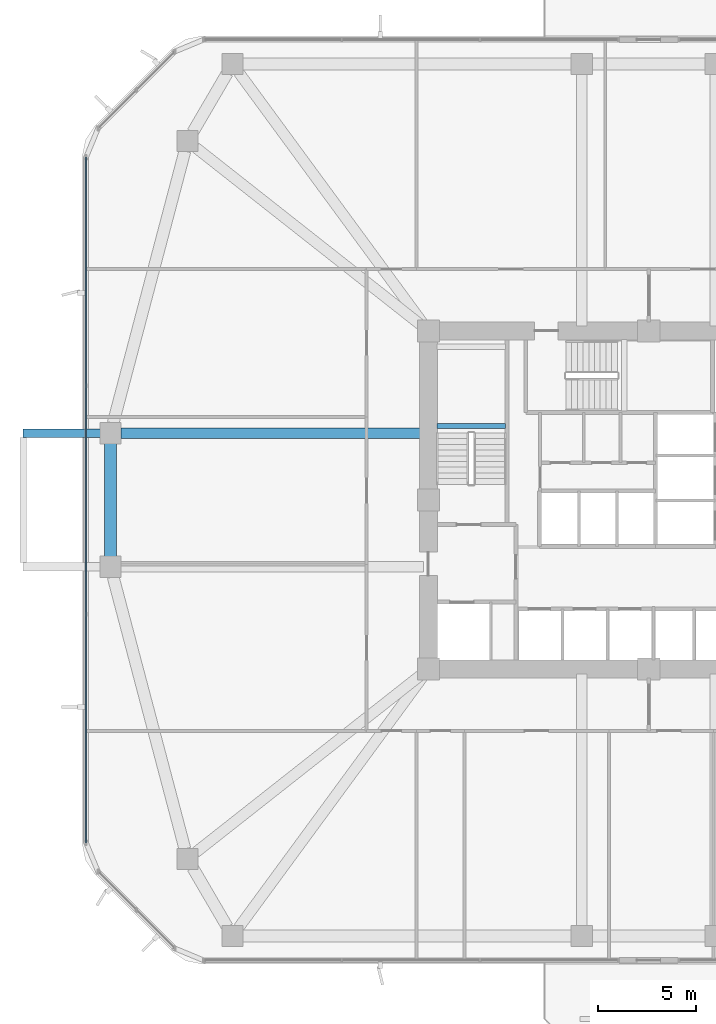
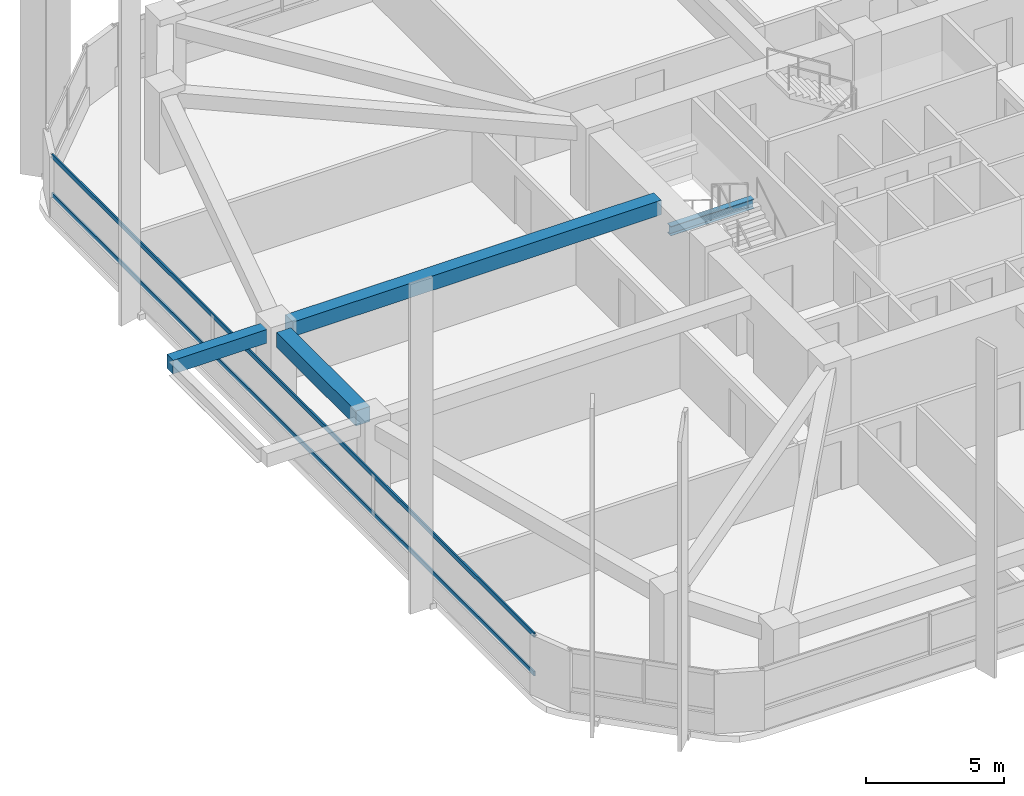
# One storey, part 3 of 17: 4 beams, 2 members, 1 element without a shape of its own.
"""IFC4 building model written with IfcOpenShell, lengths in metres."""

from ifc_helpers import new_model, si_unit, derived_unit, direction, frame, origin, origin_2d, place, context, subcontext, project, spatial, rectangle, i_section, extrude, material, material_profile, profile_set, type_object, element, aggregate, save


model = new_model("IFC4")

# Units and contexts
model_context = context("Model", 3, precision=1e-05, world=origin(), true_north=direction((0.0, 1.0)))
body_context = subcontext(model_context, "Body", "Model", "MODEL_VIEW")
ifc_project = project(units=[si_unit("LENGTHUNIT", "METRE"), si_unit("AREAUNIT", "SQUARE_METRE"), si_unit("VOLUMEUNIT", "CUBIC_METRE"), si_unit("PLANEANGLEUNIT", "RADIAN"), si_unit("MASSUNIT", "GRAM", prefix="KILO"), derived_unit("THERMALTRANSMITTANCEUNIT", [(si_unit("POWERUNIT", "WATT"), 1), (si_unit("LENGTHUNIT", "METRE"), -2), (si_unit("THERMODYNAMICTEMPERATUREUNIT", "KELVIN"), -1)])], contexts=[model_context])

# Site, building, storey
site_placement = place(None, origin())
site = spatial("IfcSite", under=ifc_project, at=site_placement, CompositionType="ELEMENT")
building_placement = place(site_placement, origin())
building = spatial("IfcBuilding", under=site, at=building_placement, Name="Koralith Skygarden Medical Center", CompositionType="ELEMENT")
storey_placement = place(building_placement, frame((0.0, 0.0, 23.93994140625)))
storey = spatial("IfcBuildingStorey", under=building, at=storey_placement, Name="L05", CompositionType="ELEMENT", Elevation=23.93994140625)

# Curtain wall, members
ifc_material_1 = material(Name="Clear Laminated Glass", Category="glass")
curtain_wall_type = type_object("IfcCurtainWallType", Name="CW-2 Zone 1 Hurricane Unitised Curtain Wall", PredefinedType="NOTDEFINED", material=ifc_material_1)
curtain_wall_placement = place(storey_placement, origin())
curtain_wall = element("IfcCurtainWall", 1, at=curtain_wall_placement, inside=storey, type_object=curtain_wall_type, Name="Curtain Wall CW-L05-W", PredefinedType="NOTDEFINED")
ifc_material_2 = material(Name="Aluminium 6063-T6", Category="aluminium")
ifc_material_profile_1 = material_profile(ifc_material_2, rectangle(XDim=0.06591796875, YDim=0.197998046875, at=origin_2d()), Name="TRN66X198")
ifc_profile_set_1 = profile_set([ifc_material_profile_1], Name="Aluminium 6063-T6")
member_type = type_object("IfcMemberType", Name="CW-2 Thermal Transom 66x198", PredefinedType="USERDEFINED", material=ifc_profile_set_1)
member_1_placement = place(storey_placement, frame((8.3798828125, 43.344970703125, 0.900146484375), z_axis=(0.0, -1.0, 0.0), x_axis=(1.0, 0.0, 0.0)))
member_1 = element("IfcMember", 2, at=member_1_placement, type_object=member_type, Name="CW-L05-W Transom 1", ObjectType="TRANSOM", PredefinedType="USERDEFINED", context=body_context, shape_type="SweptSolid", body=[
    extrude(rectangle(XDim=0.06591796875, YDim=0.197998046875, at=origin_2d()), origin(), (0.0, 0.0, 1.0), 34.889892578125),
])
member_2_placement = place(storey_placement, frame((8.3798828125, 43.344970703125, 2.60009765625), z_axis=(0.0, -1.0, 0.0), x_axis=(1.0, 0.0, 0.0)))
member_2 = element("IfcMember", 3, at=member_2_placement, type_object=member_type, Name="CW-L05-W Transom 2", ObjectType="TRANSOM", PredefinedType="USERDEFINED", context=body_context, shape_type="SweptSolid", body=[
    extrude(rectangle(XDim=0.06591796875, YDim=0.197998046875, at=origin_2d()), origin(), (0.0, 0.0, 1.0), 34.889892578125),
])
aggregate(curtain_wall, [member_1, member_2])

# Beams
ifc_material_3 = material(Name="Steel ASTM A992 Grade 50", Category="steel")
ifc_material_profile_2 = material_profile(ifc_material_3, i_section(OverallWidth=0.260009765625, OverallDepth=0.4150390625, WebThickness=0.010009765625, FlangeThickness=0.016845703125, at=origin_2d()), Name="W16X67")
ifc_profile_set_2 = profile_set([ifc_material_profile_2], Name="Steel ASTM A992 Grade 50")
beam_type_1 = type_object("IfcBeamType", Name="Clinical Floor Joist W16X67", PredefinedType="JOIST", material=ifc_profile_set_2)
beam_1_placement = place(storey_placement, frame((26.22998046875, 29.659912109375, 1.39208984375), z_axis=(1.0, 0.0, 0.0), x_axis=(0.0, 1.0, 0.0)))
element("IfcBeam", 4, at=beam_1_placement, inside=storey, type_object=beam_type_1, Name="L05 Stair ST1 Half-Landing Support Beam 1A", PredefinedType="JOIST", context=body_context, shape_type="SweptSolid", body=[
    extrude(i_section(OverallWidth=0.260009765625, OverallDepth=0.4150390625, WebThickness=0.010009765625, FlangeThickness=0.016845703125, at=origin_2d()), origin(), (0.0, 0.0, 1.0), 3.489990234375),
])
ifc_material_4 = material(Name="Concrete C45/55", Category="concrete")
ifc_material_profile_3 = material_profile(ifc_material_4, rectangle(XDim=0.449951171875, YDim=0.60009765625, at=origin_2d()), Name="RCB450X600")
ifc_profile_set_3 = profile_set([ifc_material_profile_3], Name="Concrete C45/55")
beam_type_2 = type_object("IfcBeamType", Name="Planted Balcony Cantilever Beam RCB450X600", PredefinedType="BEAM", material=ifc_profile_set_3)
beam_2_placement = place(storey_placement, frame((9.10009765625, 29.300048828125, 3.0400390625), z_axis=(-1.0, 0.0, 0.0), x_axis=(0.0, -1.0, 0.0)))
element("IfcBeam", 5, at=beam_2_placement, inside=storey, type_object=beam_type_2, Name="L06 W Balcony Cantilever Beam B", PredefinedType="BEAM", context=body_context, shape_type="SweptSolid", body=[
    extrude(rectangle(XDim=0.449951171875, YDim=0.60009765625, at=origin_2d()), origin(), (0.0, 0.0, 1.0), 3.920166015625),
])
ifc_material_profile_4 = material_profile(ifc_material_4, rectangle(XDim=0.550048828125, YDim=0.639892578125, at=origin_2d()), Name="RCB550X640")
ifc_profile_set_4 = profile_set([ifc_material_profile_4], Name="Concrete C45/55")
beam_type_3 = type_object("IfcBeamType", Name="Radial Collector Beam RCB550X640", PredefinedType="BEAM", material=ifc_profile_set_4)
beam_3_placement = place(storey_placement, frame((25.550048828125, 29.300048828125, 3.0), z_axis=(-1.0, 0.0, 0.0), x_axis=(0.0, -1.0, 0.0)))
element("IfcBeam", 6, at=beam_3_placement, inside=storey, type_object=beam_type_3, Name="L05 Radial Collector Beam RB-16", PredefinedType="BEAM", context=body_context, shape_type="SweptSolid", body=[
    extrude(rectangle(XDim=0.550048828125, YDim=0.639892578125, at=origin_2d()), origin(), (0.0, 0.0, 1.0), 15.400146484375),
])
ifc_material_profile_5 = material_profile(ifc_material_4, rectangle(XDim=0.60009765625, YDim=0.659912109375, at=origin_2d()), Name="RCB600X660")
ifc_profile_set_5 = profile_set([ifc_material_profile_5], Name="Concrete C45/55")
beam_type_4 = type_object("IfcBeamType", Name="Zone 1 Spandrel Beam RCB600X660", PredefinedType="SPANDREL", material=ifc_profile_set_5)
beam_4_placement = place(storey_placement, frame((9.6201171875, 28.77001953125, 2.989990234375), z_axis=(0.0, -1.0, 0.0), x_axis=(1.0, 0.0, 0.0)))
element("IfcBeam", 7, at=beam_4_placement, inside=storey, type_object=beam_type_4, Name="L05 Perimeter Spandrel Beam SP-16", PredefinedType="SPANDREL", context=body_context, shape_type="SweptSolid", body=[
    extrude(rectangle(XDim=0.60009765625, YDim=0.659912109375, at=origin_2d()), origin(), (0.0, 0.0, 1.0), 5.739990234375),
])

save(model, "model.ifc")
